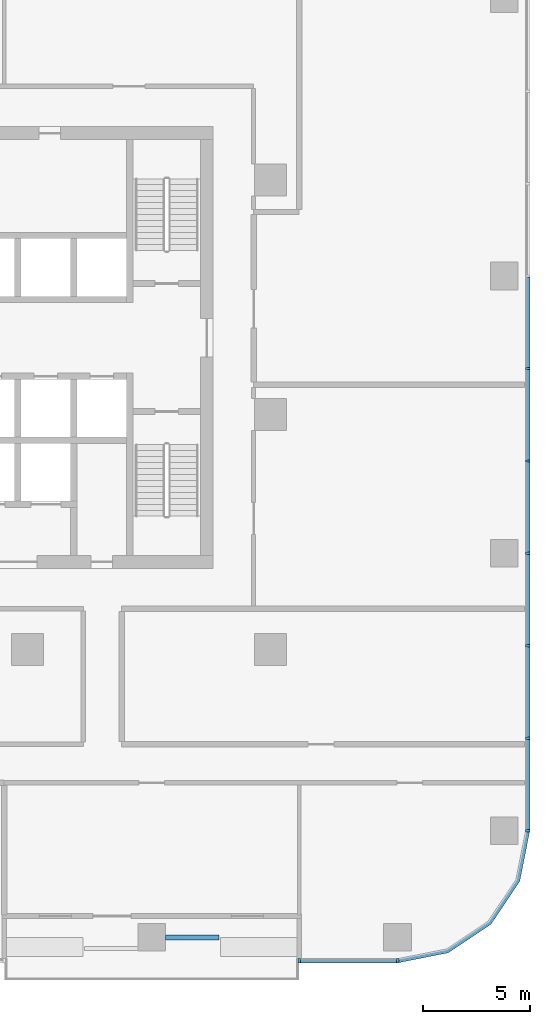
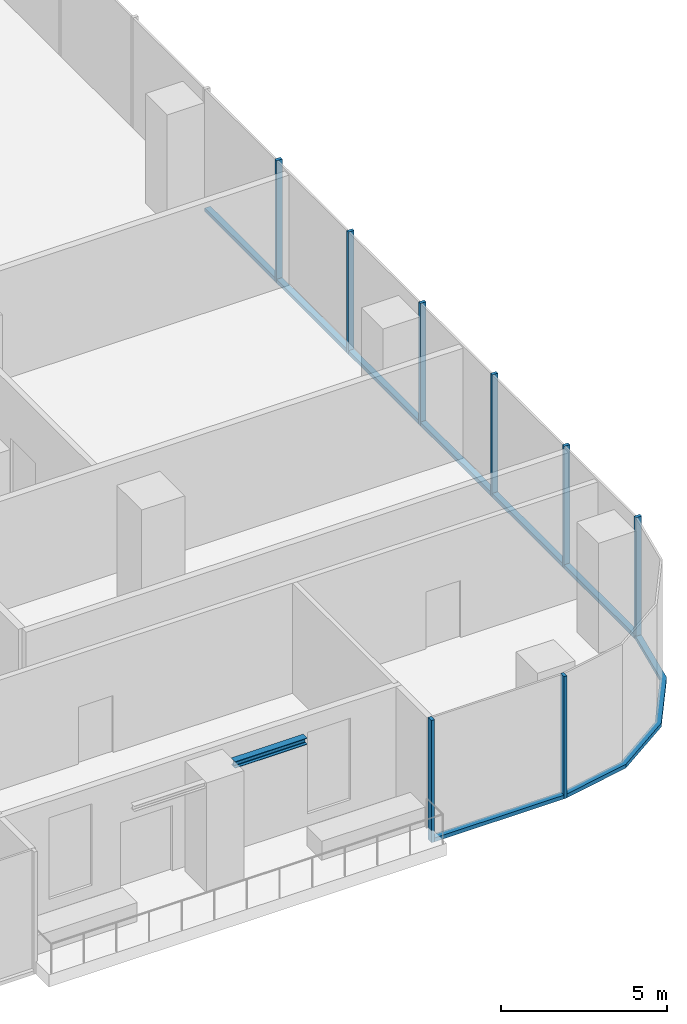
# One storey, part 3 of 15: 16 members, 1 beam, 3 elements without a shape of their own.
"""IFC4 building model written with IfcOpenShell, lengths in metres."""

from ifc_helpers import new_model, si_unit, direction, frame, origin, origin_2d, place, context, subcontext, project, spatial, polyline, rectangle, i_section, outline, extrude, material, material_profile, profile_set, type_object, element, aggregate, save


model = new_model("IFC4")

# Units and contexts
model_context = context("Model", 3, precision=1e-05, world=origin(), true_north=direction((0.0, 1.0)))
body_context = subcontext(model_context, "Body", "Model", "MODEL_VIEW")
ifc_project = project(units=[si_unit("LENGTHUNIT", "METRE"), si_unit("AREAUNIT", "SQUARE_METRE"), si_unit("VOLUMEUNIT", "CUBIC_METRE"), si_unit("PLANEANGLEUNIT", "RADIAN"), si_unit("MASSUNIT", "GRAM", prefix="KILO")], contexts=[model_context])

# Site, building, storey
site_placement = place(None, origin())
site = spatial("IfcSite", under=ifc_project, at=site_placement, CompositionType="ELEMENT")
building_placement = place(site_placement, origin())
building = spatial("IfcBuilding", under=site, at=building_placement, Name="Mopane Tessera Tower", CompositionType="ELEMENT")
storey_placement = place(building_placement, frame((0.0, 0.0, 99.10009765625)))
storey = spatial("IfcBuildingStorey", under=building, at=storey_placement, Name="L19", CompositionType="ELEMENT", Elevation=99.10009765625)

# Curtain wall, members
ifc_material_1 = material(Name="Aluminium frame", Category="aluminium")
curtain_wall_type = type_object("IfcCurtainWallType", Name="Lower tower unitised wall", PredefinedType="NOTDEFINED", material=ifc_material_1)
curtain_wall_1_placement = place(storey_placement, origin())
curtain_wall_1 = element("IfcCurtainWall", 1, at=curtain_wall_1_placement, inside=storey, type_object=curtain_wall_type, Name="e:cw:L19:S:9", PredefinedType="NOTDEFINED")
ifc_material_2 = material(Name="Aluminium frame", Category="aluminium")
ifc_material_profile_1 = material_profile(ifc_material_2, rectangle(XDim=0.110107421875, YDim=0.199951171875, at=origin_2d()))
ifc_profile_set_1 = profile_set([ifc_material_profile_1], Name="Aluminium frame")
member_type_1 = type_object("IfcMemberType", Name="Aluminium mullion 110 x 200", PredefinedType="MULLION", material=ifc_profile_set_1)
member_1_placement = place(storey_placement, frame((18.43994140625, -25.60009765625, -0.4501953125), z_axis=(0.0, 0.0, 1.0), x_axis=(1.0, 0.0, 0.0)))
member_1 = element("IfcMember", 2, at=member_1_placement, type_object=member_type_1, Name="e:cw:L19:S:9:mu9", PredefinedType="MULLION", context=body_context, shape_type="SweptSolid", body=[
    extrude(rectangle(XDim=0.110107421875, YDim=0.199951171875, at=origin_2d()), origin(), (0.0, 0.0, 1.0), 4.5),
])
member_2_placement = place(storey_placement, frame((23.050048828125, -25.60009765625, -0.4501953125), z_axis=(0.0, 0.0, 1.0), x_axis=(1.0, 0.0, 0.0)))
member_2 = element("IfcMember", 3, at=member_2_placement, type_object=member_type_1, Name="e:cw:L19:S:9:mu10", PredefinedType="MULLION", context=body_context, shape_type="SweptSolid", body=[
    extrude(rectangle(XDim=0.110107421875, YDim=0.199951171875, at=origin_2d()), origin(), (0.0, 0.0, 1.0), 4.5),
])

curtain_wall_2_placement = place(storey_placement, origin())
curtain_wall_2 = element("IfcCurtainWall", 4, at=curtain_wall_2_placement, inside=storey, type_object=curtain_wall_type, Name="e:cw:L19:E:0", PredefinedType="NOTDEFINED")
member_3_placement = place(storey_placement, frame((29.14990234375, -19.5, -0.4501953125), z_axis=(0.0, 0.0, 1.0), x_axis=(0.0, 1.0, 0.0)))
member_3 = element("IfcMember", 5, at=member_3_placement, type_object=member_type_1, Name="e:cw:L19:E:0:mu0", PredefinedType="MULLION", context=body_context, shape_type="SweptSolid", body=[
    extrude(rectangle(XDim=0.110107421875, YDim=0.199951171875, at=origin_2d()), origin(), (0.0, 0.0, 1.0), 4.5),
])
member_4_placement = place(storey_placement, frame((29.14990234375, -15.166748046875, -0.4501953125), z_axis=(0.0, 0.0, 1.0), x_axis=(0.0, 1.0, 0.0)))
member_4 = element("IfcMember", 6, at=member_4_placement, type_object=member_type_1, Name="e:cw:L19:E:0:mu1", PredefinedType="MULLION", context=body_context, shape_type="SweptSolid", body=[
    extrude(rectangle(XDim=0.110107421875, YDim=0.199951171875, at=origin_2d()), origin(), (0.0, 0.0, 1.0), 4.5),
])
member_5_placement = place(storey_placement, frame((29.14990234375, -10.833251953125, -0.4501953125), z_axis=(0.0, 0.0, 1.0), x_axis=(0.0, 1.0, 0.0)))
member_5 = element("IfcMember", 7, at=member_5_placement, type_object=member_type_1, Name="e:cw:L19:E:0:mu2", PredefinedType="MULLION", context=body_context, shape_type="SweptSolid", body=[
    extrude(rectangle(XDim=0.110107421875, YDim=0.199951171875, at=origin_2d()), origin(), (0.0, 0.0, 1.0), 4.5),
])
member_6_placement = place(storey_placement, frame((29.14990234375, -6.5, -0.4501953125), z_axis=(0.0, 0.0, 1.0), x_axis=(0.0, 1.0, 0.0)))
member_6 = element("IfcMember", 8, at=member_6_placement, type_object=member_type_1, Name="e:cw:L19:E:0:mu3", PredefinedType="MULLION", context=body_context, shape_type="SweptSolid", body=[
    extrude(rectangle(XDim=0.110107421875, YDim=0.199951171875, at=origin_2d()), origin(), (0.0, 0.0, 1.0), 4.5),
])
member_7_placement = place(storey_placement, frame((29.14990234375, -2.166748046875, -0.4501953125), z_axis=(0.0, 0.0, 1.0), x_axis=(0.0, 1.0, 0.0)))
member_7 = element("IfcMember", 9, at=member_7_placement, type_object=member_type_1, Name="e:cw:L19:E:0:mu4", PredefinedType="MULLION", context=body_context, shape_type="SweptSolid", body=[
    extrude(rectangle(XDim=0.110107421875, YDim=0.199951171875, at=origin_2d()), origin(), (0.0, 0.0, 1.0), 4.5),
])
member_8_placement = place(storey_placement, frame((29.14990234375, 2.166748046875, -0.4501953125), z_axis=(0.0, 0.0, 1.0), x_axis=(0.0, 1.0, 0.0)))
member_8 = element("IfcMember", 10, at=member_8_placement, type_object=member_type_1, Name="e:cw:L19:E:0:mu5", PredefinedType="MULLION", context=body_context, shape_type="SweptSolid", body=[
    extrude(rectangle(XDim=0.110107421875, YDim=0.199951171875, at=origin_2d()), origin(), (0.0, 0.0, 1.0), 4.5),
])

# Member
ifc_material_3 = material(Name="Aluminium frame", Category="aluminium")
ifc_material_profile_2 = material_profile(ifc_material_3, rectangle(XDim=0.199951171875, YDim=0.139892578125, at=origin_2d()))
ifc_profile_set_2 = profile_set([ifc_material_profile_2], Name="Aluminium frame")
member_type_2 = type_object("IfcMemberType", Name="Aluminium transom 200 x 140", PredefinedType="USERDEFINED", material=ifc_profile_set_2)
member_9_placement = place(storey_placement, frame((18.4951171875, -25.60009765625, -0.380126953125), z_axis=(1.0, 0.0, 0.0), x_axis=(0.0, 1.0, 0.0)))
member_9 = element("IfcMember", 11, at=member_9_placement, type_object=member_type_2, Name="e:cw:L19:S:9:tr9", ObjectType="TRANSOM", PredefinedType="USERDEFINED", context=body_context, shape_type="SweptSolid", body=[
    extrude(rectangle(XDim=0.199951171875, YDim=0.139892578125, at=origin_2d()), origin(), (0.0, 0.0, 1.0), 4.5),
])

aggregate(curtain_wall_1, [member_1, member_2, member_9])

# Curtain wall, member
curtain_wall_3_placement = place(storey_placement, origin())
curtain_wall_3 = element("IfcCurtainWall", 12, at=curtain_wall_3_placement, inside=storey, type_object=curtain_wall_type, Name="e:cw:L19:CS", PredefinedType="NOTDEFINED")
member_10_placement = place(storey_placement, frame((0.0, 0.0, -0.4501953125)))
member_10 = element("IfcMember", 13, at=member_10_placement, type_object=member_type_2, Name="e:cw:L19:CS:tr", ObjectType="TRANSOM", PredefinedType="USERDEFINED", context=body_context, shape_type="SweptSolid", body=[
    extrude(outline(polyline([(23.050048828125, -25.5), (25.34619140625, -25.043212890625), (27.292724609375, -23.74267578125), (28.59326171875, -21.796142578125), (29.050048828125, -19.5), (29.25, -19.5), (28.778076171875, -21.87255859375), (27.43408203125, -23.884033203125), (25.422607421875, -25.22802734375), (23.050048828125, -25.699951171875), (23.050048828125, -25.5)])), origin(), (0.0, 0.0, 1.0), 0.14013671875),
])
aggregate(curtain_wall_3, [member_10])

# Member
member_11_placement = place(storey_placement, frame((29.14990234375, -19.445068359375, -0.380126953125), z_axis=(0.0, 1.0, 0.0), x_axis=(-1.0, 0.0, 0.0)))
member_11 = element("IfcMember", 14, at=member_11_placement, type_object=member_type_2, Name="e:cw:L19:E:0:tr0", ObjectType="TRANSOM", PredefinedType="USERDEFINED", context=body_context, shape_type="SweptSolid", body=[
    extrude(rectangle(XDim=0.199951171875, YDim=0.139892578125, at=origin_2d()), origin(), (0.0, 0.0, 1.0), 4.223388671875),
])

member_12_placement = place(storey_placement, frame((29.14990234375, -15.111572265625, -0.380126953125), z_axis=(0.0, 1.0, 0.0), x_axis=(-1.0, 0.0, 0.0)))
member_12 = element("IfcMember", 15, at=member_12_placement, type_object=member_type_2, Name="e:cw:L19:E:0:tr1", ObjectType="TRANSOM", PredefinedType="USERDEFINED", context=body_context, shape_type="SweptSolid", body=[
    extrude(rectangle(XDim=0.199951171875, YDim=0.139892578125, at=origin_2d()), origin(), (0.0, 0.0, 1.0), 4.22314453125),
])

member_13_placement = place(storey_placement, frame((29.14990234375, -10.7783203125, -0.380126953125), z_axis=(0.0, 1.0, 0.0), x_axis=(-1.0, 0.0, 0.0)))
member_13 = element("IfcMember", 16, at=member_13_placement, type_object=member_type_2, Name="e:cw:L19:E:0:tr2", ObjectType="TRANSOM", PredefinedType="USERDEFINED", context=body_context, shape_type="SweptSolid", body=[
    extrude(rectangle(XDim=0.199951171875, YDim=0.139892578125, at=origin_2d()), origin(), (0.0, 0.0, 1.0), 4.223388671875),
])

member_14_placement = place(storey_placement, frame((29.14990234375, -6.445068359375, -0.380126953125), z_axis=(0.0, 1.0, 0.0), x_axis=(-1.0, 0.0, 0.0)))
member_14 = element("IfcMember", 17, at=member_14_placement, type_object=member_type_2, Name="e:cw:L19:E:0:tr3", ObjectType="TRANSOM", PredefinedType="USERDEFINED", context=body_context, shape_type="SweptSolid", body=[
    extrude(rectangle(XDim=0.199951171875, YDim=0.139892578125, at=origin_2d()), origin(), (0.0, 0.0, 1.0), 4.223388671875),
])

member_15_placement = place(storey_placement, frame((29.14990234375, -2.111572265625, -0.380126953125), z_axis=(0.0, 1.0, 0.0), x_axis=(-1.0, 0.0, 0.0)))
member_15 = element("IfcMember", 18, at=member_15_placement, type_object=member_type_2, Name="e:cw:L19:E:0:tr4", ObjectType="TRANSOM", PredefinedType="USERDEFINED", context=body_context, shape_type="SweptSolid", body=[
    extrude(rectangle(XDim=0.199951171875, YDim=0.139892578125, at=origin_2d()), origin(), (0.0, 0.0, 1.0), 4.22314453125),
])

member_16_placement = place(storey_placement, frame((29.14990234375, 2.2216796875, -0.380126953125), z_axis=(0.0, 1.0, 0.0), x_axis=(-1.0, 0.0, 0.0)))
member_16 = element("IfcMember", 19, at=member_16_placement, type_object=member_type_2, Name="e:cw:L19:E:0:tr5", ObjectType="TRANSOM", PredefinedType="USERDEFINED", context=body_context, shape_type="SweptSolid", body=[
    extrude(rectangle(XDim=0.199951171875, YDim=0.139892578125, at=origin_2d()), origin(), (0.0, 0.0, 1.0), 4.223388671875),
])

aggregate(curtain_wall_2, [member_3, member_4, member_5, member_6, member_7, member_8, member_11, member_12, member_13, member_14, member_15, member_16])

# Beam
ifc_material_4 = material(Name="Structural steel S460", Category="steel")
ifc_material_profile_3 = material_profile(ifc_material_4, i_section(OverallWidth=0.239990234375, OverallDepth=0.239990234375, WebThickness=0.010009765625, FlangeThickness=0.01708984375, FilletRadius=0.02099609375, at=origin_2d()))
ifc_profile_set_3 = profile_set([ifc_material_profile_3], Name="Structural steel S460")
beam_type = type_object("IfcBeamType", Name="Terrace spandrel beam HE 240 B", PredefinedType="SPANDREL", material=ifc_profile_set_3)
beam_placement = place(storey_placement, frame((12.177978515625, -24.5, 3.929931640625), z_axis=(1.0, 0.0, 0.0), x_axis=(0.0, 1.0, 0.0)))
element("IfcBeam", 20, at=beam_placement, inside=storey, type_object=beam_type, Name="Terrace spandrel beam N3 L20", PredefinedType="SPANDREL", context=body_context, shape_type="SweptSolid", body=[
    extrude(i_section(OverallWidth=0.239990234375, OverallDepth=0.239990234375, WebThickness=0.010009765625, FlangeThickness=0.01708984375, FilletRadius=0.02099609375, at=origin_2d()), origin(), (0.0, 0.0, 1.0), 2.5),
])

save(model, "model.ifc")
